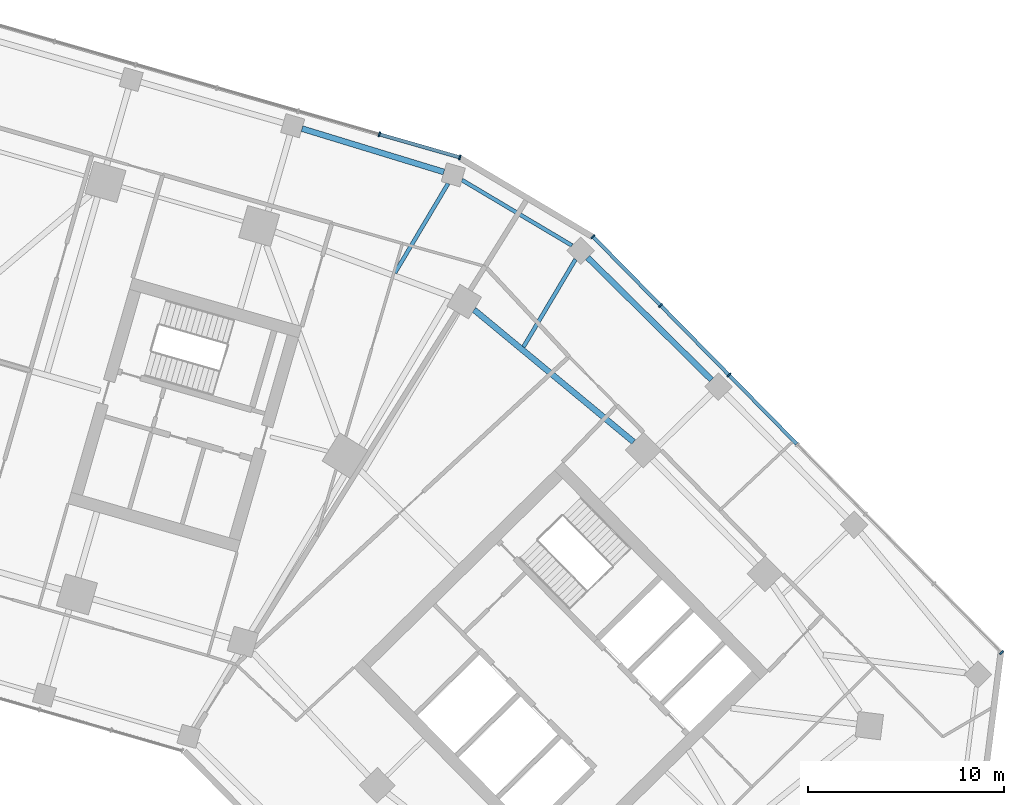
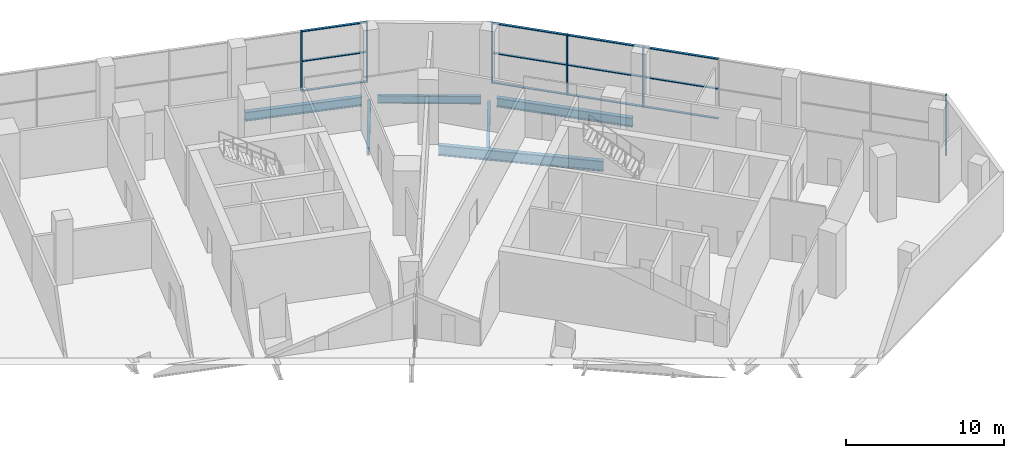
# One storey, part 8 of 18: 18 members, 6 beams, 2 elements without a shape of their own.
"""IFC4 building model written with IfcOpenShell, lengths in metres."""

from ifc_helpers import new_model, si_unit, direction, frame, origin, origin_2d, place, context, subcontext, project, spatial, rectangle, i_section, extrude, material, material_profile, profile_set, type_object, element, aggregate, save


model = new_model("IFC4")

# Units and contexts
model_context = context("Model", 3, precision=1e-05, world=origin(), true_north=direction((0.0, 1.0)))
body_context = subcontext(model_context, "Body", "Model", "MODEL_VIEW")
ifc_project = project(units=[si_unit("LENGTHUNIT", "METRE"), si_unit("AREAUNIT", "SQUARE_METRE"), si_unit("VOLUMEUNIT", "CUBIC_METRE"), si_unit("PLANEANGLEUNIT", "RADIAN"), si_unit("MASSUNIT", "GRAM", prefix="KILO")], contexts=[model_context])

# Site, building, storey
site_placement = place(None, origin())
site = spatial("IfcSite", under=ifc_project, at=site_placement, CompositionType="ELEMENT")
building_placement = place(site_placement, origin())
building = spatial("IfcBuilding", under=site, at=building_placement, Name="Binnacle Exchange Tower", CompositionType="ELEMENT")
storey_placement = place(building_placement, frame((0.0, 0.0, 11.5)))
storey = spatial("IfcBuildingStorey", under=building, at=storey_placement, Name="L02", CompositionType="ELEMENT", Elevation=11.5)

# Curtain wall, members
ifc_material_1 = material(Name="Bronze anodised aluminium frame", Category="aluminium")
curtain_wall_type = type_object("IfcCurtainWallType", Name="External wall - curtain wall north entrance", PredefinedType="NOTDEFINED", material=ifc_material_1)
curtain_wall_1_placement = place(storey_placement, origin())
curtain_wall_1 = element("IfcCurtainWall", 1, at=curtain_wall_1_placement, inside=storey, type_object=curtain_wall_type, Name="External wall curtain wall CW2-P00 L02", PredefinedType="NOTDEFINED")
ifc_material_profile_1 = material_profile(ifc_material_1, rectangle(XDim=0.25, YDim=0.080078125, at=origin_2d()), Name="AL 80x250")
ifc_profile_set_1 = profile_set([ifc_material_profile_1], Name="Bronze anodised aluminium frame")
member_type_1 = type_object("IfcMemberType", Name="CW2 MULLION 80x250", PredefinedType="MULLION", material=ifc_profile_set_1)
member_1_placement = place(storey_placement, frame((36.861572265625, 66.631591796875, 0.0), z_axis=(0.0, 0.0, 1.0), x_axis=(-0.275636946471, -0.961261813316, 0.0)))
member_1 = element("IfcMember", 2, at=member_1_placement, type_object=member_type_1, Name="CW2-P00 mullion 1", PredefinedType="MULLION", context=body_context, shape_type="SweptSolid", body=[
    extrude(rectangle(XDim=0.25, YDim=0.080078125, at=origin_2d()), origin(), (0.0, 0.0, 1.0), 4.64990234375),
])
member_2_placement = place(storey_placement, frame((32.748779296875, 67.81103515625, 0.0), z_axis=(0.0, 0.0, 1.0), x_axis=(-0.275636946471, -0.961261813316, 0.0)))
member_2 = element("IfcMember", 3, at=member_2_placement, type_object=member_type_1, Name="CW2-P00 mullion 2", PredefinedType="MULLION", context=body_context, shape_type="SweptSolid", body=[
    extrude(rectangle(XDim=0.25, YDim=0.080078125, at=origin_2d()), origin(), (0.0, 0.0, 1.0), 4.64990234375),
])

curtain_wall_2_placement = place(storey_placement, origin())
curtain_wall_2 = element("IfcCurtainWall", 4, at=curtain_wall_2_placement, inside=storey, type_object=curtain_wall_type, Name="External wall curtain wall CW2-P12 L02", PredefinedType="NOTDEFINED")
member_3_placement = place(storey_placement, frame((64.565673828125, 41.31640625, 0.0), z_axis=(0.0, 0.0, 1.0), x_axis=(-0.713250360623, -0.70090935439, 0.0)))
member_3 = element("IfcMember", 5, at=member_3_placement, type_object=member_type_1, Name="CW2-P12 mullion 1", PredefinedType="MULLION", context=body_context, shape_type="SweptSolid", body=[
    extrude(rectangle(XDim=0.25, YDim=0.080078125, at=origin_2d()), origin(), (0.0, 0.0, 1.0), 4.64990234375),
])
member_4_placement = place(storey_placement, frame((50.62451171875, 55.503173828125, 0.0), z_axis=(0.0, 0.0, 1.0), x_axis=(-0.713250360623, -0.70090935439, 0.0)))
member_4 = element("IfcMember", 6, at=member_4_placement, type_object=member_type_1, Name="CW2-P12 mullion 5", PredefinedType="MULLION", context=body_context, shape_type="SweptSolid", body=[
    extrude(rectangle(XDim=0.25, YDim=0.080078125, at=origin_2d()), origin(), (0.0, 0.0, 1.0), 4.64990234375),
])
member_5_placement = place(storey_placement, frame((47.132080078125, 59.056884765625, 0.0), z_axis=(0.0, 0.0, 1.0), x_axis=(-0.713250360623, -0.70090935439, 0.0)))
member_5 = element("IfcMember", 7, at=member_5_placement, type_object=member_type_1, Name="CW2-P12 mullion 6", PredefinedType="MULLION", context=body_context, shape_type="SweptSolid", body=[
    extrude(rectangle(XDim=0.25, YDim=0.080078125, at=origin_2d()), origin(), (0.0, 0.0, 1.0), 4.64990234375),
])
member_6_placement = place(storey_placement, frame((43.667724609375, 62.582275390625, 0.0), z_axis=(0.0, 0.0, 1.0), x_axis=(-0.713250360623, -0.70090935439, 0.0)))
member_6 = element("IfcMember", 8, at=member_6_placement, type_object=member_type_1, Name="CW2-P12 mullion 7", PredefinedType="MULLION", context=body_context, shape_type="SweptSolid", body=[
    extrude(rectangle(XDim=0.25, YDim=0.080078125, at=origin_2d()), origin(), (0.0, 0.0, 1.0), 4.64990234375),
])

# Member
ifc_material_profile_2 = material_profile(ifc_material_1, rectangle(XDim=0.179931640625, YDim=0.06005859375, at=origin_2d()), Name="AL 180x60")
ifc_profile_set_2 = profile_set([ifc_material_profile_2], Name="Bronze anodised aluminium frame")
member_type_2 = type_object("IfcMemberType", Name="CW2 TRANSOM 60x180", PredefinedType="USERDEFINED", material=ifc_profile_set_2)
member_7_placement = place(storey_placement, frame((36.8232421875, 66.642578125, 0.030029296875), z_axis=(-0.961269009253, 0.275611849979, 0.0), x_axis=(-0.275611849979, -0.961269009253, 0.0)))
member_7 = element("IfcMember", 9, at=member_7_placement, type_object=member_type_2, Name="CW2-P00 transom 1.1", ObjectType="TRANSOM", PredefinedType="USERDEFINED", context=body_context, shape_type="SweptSolid", body=[
    extrude(rectangle(XDim=0.179931640625, YDim=0.06005859375, at=origin_2d()), origin(), (0.0, 0.0, 1.0), 4.19873046875),
])

member_8_placement = place(storey_placement, frame((36.8232421875, 66.642578125, 2.324951171875), z_axis=(-0.961269009253, 0.275611849979, 0.0), x_axis=(-0.275611849979, -0.961269009253, 0.0)))
member_8 = element("IfcMember", 10, at=member_8_placement, type_object=member_type_2, Name="CW2-P00 transom 1.2", ObjectType="TRANSOM", PredefinedType="USERDEFINED", context=body_context, shape_type="SweptSolid", body=[
    extrude(rectangle(XDim=0.179931640625, YDim=0.06005859375, at=origin_2d()), origin(), (0.0, 0.0, 1.0), 4.19873046875),
])

member_9_placement = place(storey_placement, frame((36.8232421875, 66.642578125, 4.6201171875), z_axis=(-0.961269009253, 0.275611849979, 0.0), x_axis=(-0.275611849979, -0.961269009253, 0.0)))
member_9 = element("IfcMember", 11, at=member_9_placement, type_object=member_type_2, Name="CW2-P00 transom 1.3", ObjectType="TRANSOM", PredefinedType="USERDEFINED", context=body_context, shape_type="SweptSolid", body=[
    extrude(rectangle(XDim=0.179931640625, YDim=0.06005859375, at=origin_2d()), origin(), (0.0, 0.0, 1.0), 4.19873046875),
])

aggregate(curtain_wall_1, [member_1, member_2, member_7, member_8, member_9])

member_10_placement = place(storey_placement, frame((54.088623046875, 51.977783203125, 0.030029296875), z_axis=(-0.70087954903, 0.713279649052, 0.0), x_axis=(-0.713279649052, -0.70087954903, 0.0)))
member_10 = element("IfcMember", 12, at=member_10_placement, type_object=member_type_2, Name="CW2-P12 transom 4.1", ObjectType="TRANSOM", PredefinedType="USERDEFINED", context=body_context, shape_type="SweptSolid", body=[
    extrude(rectangle(XDim=0.179931640625, YDim=0.06005859375, at=origin_2d()), origin(), (0.0, 0.0, 1.0), 4.90234375),
])

member_11_placement = place(storey_placement, frame((54.088623046875, 51.977783203125, 2.324951171875), z_axis=(-0.70087954903, 0.713279649052, 0.0), x_axis=(-0.713279649052, -0.70087954903, 0.0)))
member_11 = element("IfcMember", 13, at=member_11_placement, type_object=member_type_2, Name="CW2-P12 transom 4.2", ObjectType="TRANSOM", PredefinedType="USERDEFINED", context=body_context, shape_type="SweptSolid", body=[
    extrude(rectangle(XDim=0.179931640625, YDim=0.06005859375, at=origin_2d()), origin(), (0.0, 0.0, 1.0), 4.90234375),
])

member_12_placement = place(storey_placement, frame((54.088623046875, 51.977783203125, 4.6201171875), z_axis=(-0.70087954903, 0.713279649052, 0.0), x_axis=(-0.713279649052, -0.70087954903, 0.0)))
member_12 = element("IfcMember", 14, at=member_12_placement, type_object=member_type_2, Name="CW2-P12 transom 4.3", ObjectType="TRANSOM", PredefinedType="USERDEFINED", context=body_context, shape_type="SweptSolid", body=[
    extrude(rectangle(XDim=0.179931640625, YDim=0.06005859375, at=origin_2d()), origin(), (0.0, 0.0, 1.0), 4.90234375),
])

member_13_placement = place(storey_placement, frame((50.596435546875, 55.53173828125, 0.030029296875), z_axis=(-0.700904884139, 0.7132547535, 0.0), x_axis=(-0.7132547535, -0.700904884139, 0.0)))
member_13 = element("IfcMember", 15, at=member_13_placement, type_object=member_type_2, Name="CW2-P12 transom 5.1", ObjectType="TRANSOM", PredefinedType="USERDEFINED", context=body_context, shape_type="SweptSolid", body=[
    extrude(rectangle(XDim=0.179931640625, YDim=0.06005859375, at=origin_2d()), origin(), (0.0, 0.0, 1.0), 4.902587890625),
])

member_14_placement = place(storey_placement, frame((50.596435546875, 55.53173828125, 2.324951171875), z_axis=(-0.700904884139, 0.7132547535, 0.0), x_axis=(-0.7132547535, -0.700904884139, 0.0)))
member_14 = element("IfcMember", 16, at=member_14_placement, type_object=member_type_2, Name="CW2-P12 transom 5.2", ObjectType="TRANSOM", PredefinedType="USERDEFINED", context=body_context, shape_type="SweptSolid", body=[
    extrude(rectangle(XDim=0.179931640625, YDim=0.06005859375, at=origin_2d()), origin(), (0.0, 0.0, 1.0), 4.902587890625),
])

member_15_placement = place(storey_placement, frame((50.596435546875, 55.53173828125, 4.6201171875), z_axis=(-0.700904884139, 0.7132547535, 0.0), x_axis=(-0.7132547535, -0.700904884139, 0.0)))
member_15 = element("IfcMember", 17, at=member_15_placement, type_object=member_type_2, Name="CW2-P12 transom 5.3", ObjectType="TRANSOM", PredefinedType="USERDEFINED", context=body_context, shape_type="SweptSolid", body=[
    extrude(rectangle(XDim=0.179931640625, YDim=0.06005859375, at=origin_2d()), origin(), (0.0, 0.0, 1.0), 4.902587890625),
])

member_16_placement = place(storey_placement, frame((47.10400390625, 59.08544921875, 0.030029296875), z_axis=(-0.700904224311, 0.713255401903, 0.0), x_axis=(-0.713255401903, -0.700904224311, 0.0)))
member_16 = element("IfcMember", 18, at=member_16_placement, type_object=member_type_2, Name="CW2-P12 transom 6.1", ObjectType="TRANSOM", PredefinedType="USERDEFINED", context=body_context, shape_type="SweptSolid", body=[
    extrude(rectangle(XDim=0.179931640625, YDim=0.06005859375, at=origin_2d()), origin(), (0.0, 0.0, 1.0), 4.862548828125),
])

member_17_placement = place(storey_placement, frame((47.10400390625, 59.08544921875, 2.324951171875), z_axis=(-0.700904224311, 0.713255401903, 0.0), x_axis=(-0.713255401903, -0.700904224311, 0.0)))
member_17 = element("IfcMember", 19, at=member_17_placement, type_object=member_type_2, Name="CW2-P12 transom 6.2", ObjectType="TRANSOM", PredefinedType="USERDEFINED", context=body_context, shape_type="SweptSolid", body=[
    extrude(rectangle(XDim=0.179931640625, YDim=0.06005859375, at=origin_2d()), origin(), (0.0, 0.0, 1.0), 4.862548828125),
])

member_18_placement = place(storey_placement, frame((47.10400390625, 59.08544921875, 4.6201171875), z_axis=(-0.700904224311, 0.713255401903, 0.0), x_axis=(-0.713255401903, -0.700904224311, 0.0)))
member_18 = element("IfcMember", 20, at=member_18_placement, type_object=member_type_2, Name="CW2-P12 transom 6.3", ObjectType="TRANSOM", PredefinedType="USERDEFINED", context=body_context, shape_type="SweptSolid", body=[
    extrude(rectangle(XDim=0.179931640625, YDim=0.06005859375, at=origin_2d()), origin(), (0.0, 0.0, 1.0), 4.862548828125),
])

aggregate(curtain_wall_2, [member_3, member_4, member_5, member_6, member_10, member_11, member_12, member_13, member_14, member_15, member_16, member_17, member_18])

# Beams
ifc_material_2 = material(Name="Steel S355 (SHN355)", Category="steel")
ifc_material_profile_3 = material_profile(ifc_material_2, i_section(OverallWidth=0.200927734375, OverallDepth=0.60595703125, WebThickness=0.011962890625, FlangeThickness=0.02001953125, FilletRadius=0.02197265625, at=origin_2d()), Name="H 606x201x12x20")
ifc_profile_set_3 = profile_set([ifc_material_profile_3], Name="Steel S355 (SHN355)")
beam_type_1 = type_object("IfcBeamType", Name="Edge girder H 606x201x12x20 Steel S355 (SHN355)", PredefinedType="SPANDREL", material=ifc_profile_set_3)
beam_1_placement = place(storey_placement, frame((36.972412109375, 65.474609375, -0.653076171875), z_axis=(0.859408777726, -0.51128910879, 0.0), x_axis=(0.51128910879, 0.859408777726, 0.0)))
element("IfcBeam", 21, at=beam_1_placement, inside=storey, type_object=beam_type_1, Name="S:BM:edge:L02:063", PredefinedType="SPANDREL", context=body_context, shape_type="SweptSolid", body=[
    extrude(i_section(OverallWidth=0.200927734375, OverallDepth=0.60595703125, WebThickness=0.011962890625, FlangeThickness=0.02001953125, FilletRadius=0.02197265625, at=origin_2d()), origin(), (0.0, 0.0, 1.0), 6.546142578125),
])
ifc_material_profile_4 = material_profile(ifc_material_2, i_section(OverallWidth=0.300048828125, OverallDepth=0.699951171875, WebThickness=0.012939453125, FlangeThickness=0.02392578125, FilletRadius=0.028076171875, at=origin_2d()), Name="H 700x300x13x24")
ifc_profile_set_4 = profile_set([ifc_material_profile_4], Name="Steel S355 (SHN355)")
beam_type_2 = type_object("IfcBeamType", Name="Edge girder H 700x300x13x24 Steel S355 (SHN355)", PredefinedType="SPANDREL", material=ifc_profile_set_4)
beam_2_placement = place(storey_placement, frame((28.794189453125, 68.103515625, -0.699951171875), z_axis=(0.956298600783, -0.292391836653, 0.0), x_axis=(0.292391836653, 0.956298600783, 0.0)))
element("IfcBeam", 22, at=beam_2_placement, inside=storey, type_object=beam_type_2, Name="S:BM:edge:L02:058", PredefinedType="SPANDREL", context=body_context, shape_type="SweptSolid", body=[
    extrude(i_section(OverallWidth=0.300048828125, OverallDepth=0.699951171875, WebThickness=0.012939453125, FlangeThickness=0.02392578125, FilletRadius=0.028076171875, at=origin_2d()), origin(), (0.0, 0.0, 1.0), 7.58740234375),
])
beam_3_placement = place(storey_placement, frame((43.398193359375, 61.51220703125, -0.699951171875), z_axis=(0.711633547042, -0.702550848497, 0.0), x_axis=(0.702550848497, 0.711633547042, 0.0)))
element("IfcBeam", 23, at=beam_3_placement, inside=storey, type_object=beam_type_2, Name="S:BM:edge:L02:065", PredefinedType="SPANDREL", context=body_context, shape_type="SweptSolid", body=[
    extrude(i_section(OverallWidth=0.300048828125, OverallDepth=0.699951171875, WebThickness=0.012939453125, FlangeThickness=0.02392578125, FilletRadius=0.028076171875, at=origin_2d()), origin(), (0.0, 0.0, 1.0), 8.897216796875),
])
ifc_material_profile_5 = material_profile(ifc_material_2, i_section(OverallWidth=0.300048828125, OverallDepth=0.800048828125, WebThickness=0.013916015625, FlangeThickness=0.02587890625, FilletRadius=0.028076171875, at=origin_2d()), Name="H 800x300x14x26")
ifc_profile_set_5 = profile_set([ifc_material_profile_5], Name="Steel S355 (SHN355)")
beam_type_3 = type_object("IfcBeamType", Name="Edge girder H 800x300x14x26 Steel S355 (SHN355)", PredefinedType="SPANDREL", material=ifc_profile_set_5)
beam_4_placement = place(storey_placement, frame((45.7451171875, 52.084228515625, -0.75), z_axis=(-0.769906025895, 0.638157277864, 0.0), x_axis=(-0.638157277864, -0.769906025895, 0.0)))
element("IfcBeam", 24, at=beam_4_placement, inside=storey, type_object=beam_type_3, Name="S:BM:edge:L02:067", PredefinedType="SPANDREL", context=body_context, shape_type="SweptSolid", body=[
    extrude(i_section(OverallWidth=0.300048828125, OverallDepth=0.800048828125, WebThickness=0.013916015625, FlangeThickness=0.02587890625, FilletRadius=0.028076171875, at=origin_2d()), origin(), (0.0, 0.0, 1.0), 10.59033203125),
])
ifc_material_profile_6 = material_profile(ifc_material_2, i_section(OverallWidth=0.201904296875, OverallDepth=0.612060546875, WebThickness=0.012939453125, FlangeThickness=0.02294921875, FilletRadius=0.02197265625, at=origin_2d()), Name="H 612x202x13x23")
ifc_profile_set_6 = profile_set([ifc_material_profile_6], Name="Steel S355 (SHN355)")
beam_type_4 = type_object("IfcBeamType", Name="Floor beam H 612x202x13x23 Steel S355 (SHN355)", PredefinedType="BEAM", material=ifc_profile_set_6)
beam_5_placement = place(storey_placement, frame((36.263916015625, 65.294677734375, -0.656005859375), z_axis=(-0.511292595627, -0.859406703288, 0.0), x_axis=(0.859406703288, -0.511292595627, 0.0)))
element("IfcBeam", 25, at=beam_5_placement, inside=storey, type_object=beam_type_4, Name="S:BM:cross:L02:115", PredefinedType="BEAM", context=body_context, shape_type="SweptSolid", body=[
    extrude(i_section(OverallWidth=0.201904296875, OverallDepth=0.612060546875, WebThickness=0.012939453125, FlangeThickness=0.02294921875, FilletRadius=0.02197265625, at=origin_2d()), origin(), (0.0, 0.0, 1.0), 5.31884765625),
])
beam_6_placement = place(storey_placement, frame((42.778076171875, 61.419189453125, -0.656005859375), z_axis=(-0.511272874429, -0.859418435847, 0.0), x_axis=(0.859418435847, -0.511272874429, 0.0)))
element("IfcBeam", 26, at=beam_6_placement, inside=storey, type_object=beam_type_4, Name="S:BM:cross:L02:119", PredefinedType="BEAM", context=body_context, shape_type="SweptSolid", body=[
    extrude(i_section(OverallWidth=0.201904296875, OverallDepth=0.612060546875, WebThickness=0.012939453125, FlangeThickness=0.02294921875, FilletRadius=0.02197265625, at=origin_2d()), origin(), (0.0, 0.0, 1.0), 5.208251953125),
])

save(model, "model.ifc")
